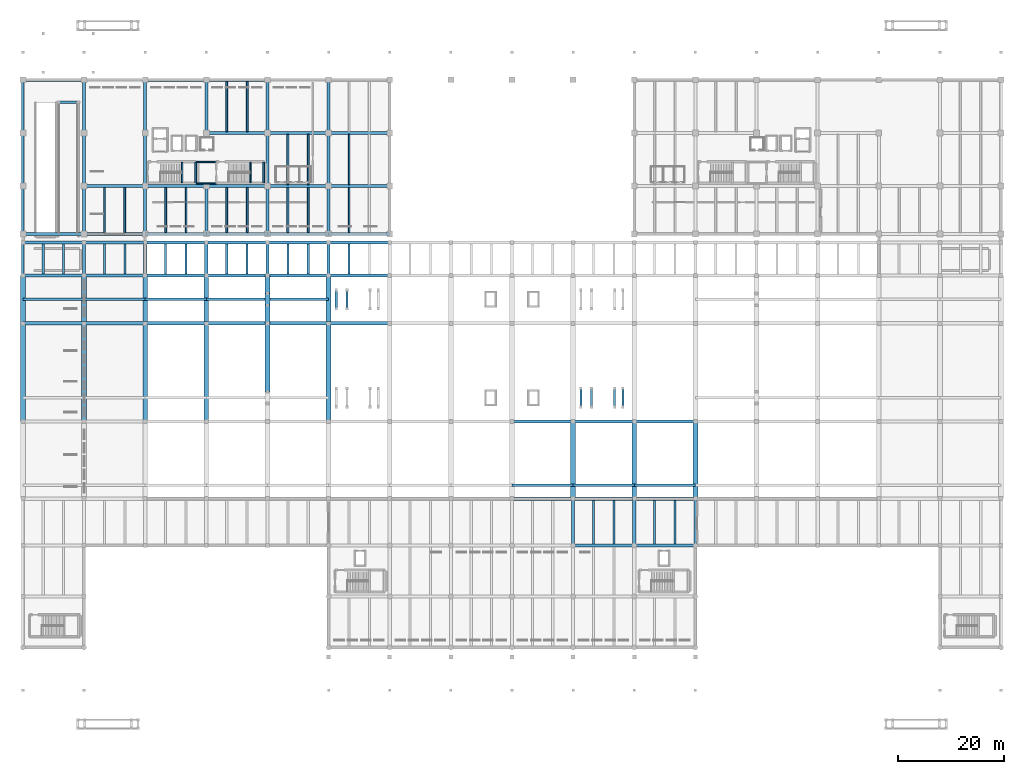
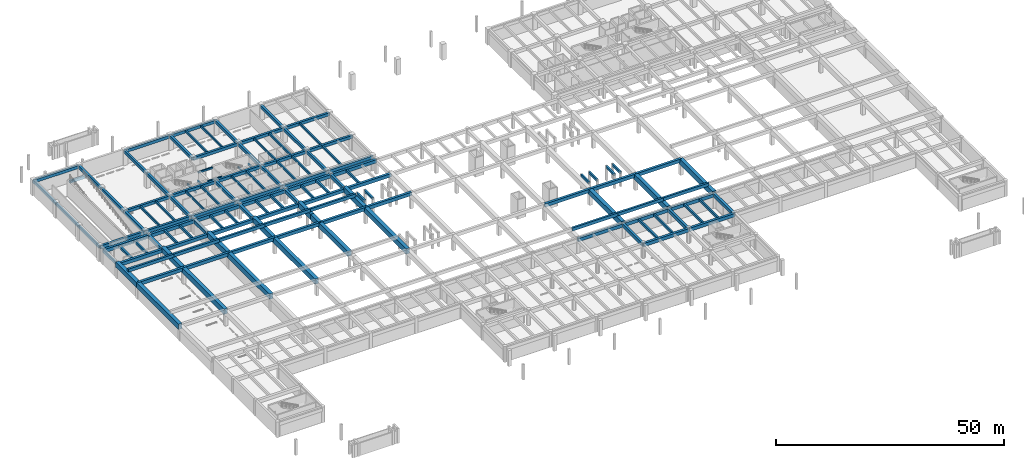
# One storey, part 5 of 20: 136 beams.
"""IFC4 building model written with IfcOpenShell, lengths in metres."""

from ifc_helpers import new_model, si_unit, direction, frame, origin, origin_2d, place, context, subcontext, project, spatial, rectangle, extrude, material, material_profile, profile_set, type_object, element, save


model = new_model("IFC4")

# Units and contexts
model_context = context("Model", 3, precision=1e-05, world=origin(), true_north=direction((0.0, 1.0)))
body_context = subcontext(model_context, "Body", "Model", "MODEL_VIEW")
ifc_project = project(units=[si_unit("LENGTHUNIT", "METRE"), si_unit("AREAUNIT", "SQUARE_METRE"), si_unit("VOLUMEUNIT", "CUBIC_METRE"), si_unit("PLANEANGLEUNIT", "RADIAN"), si_unit("MASSUNIT", "GRAM", prefix="KILO")], contexts=[model_context])

# Site, building, storey
site_placement = place(None, origin())
site = spatial("IfcSite", under=ifc_project, at=site_placement, CompositionType="ELEMENT")
building_placement = place(site_placement, origin())
building = spatial("IfcBuilding", under=site, at=building_placement, Name="Ologun Quay Terminus", CompositionType="ELEMENT")
storey_placement = place(building_placement, frame((0.0, 0.0, -4.199951171875)))
storey = spatial("IfcBuildingStorey", under=building, at=storey_placement, Name="B01", CompositionType="ELEMENT", Elevation=-4.199951171875)

# Beams
ifc_material_1 = material(Name="Concrete C40/50", Category="concrete")
ifc_material_profile_1 = material_profile(ifc_material_1, rectangle(XDim=0.300048828125, YDim=0.449951171875, at=origin_2d()), Name="RC 300x450")
ifc_profile_set_1 = profile_set([ifc_material_profile_1], Name="Concrete C40/50")
beam_type_1 = type_object("IfcBeamType", Name="Core Coupling Lintel Beam 300x450", PredefinedType="LINTEL", material=ifc_profile_set_1)
for number, where, z_axis, x_axis, name in (
    (1, (32.64990234375, 95.324951171875, 3.724853515625), (1.0, 0.0, 0.0), (0.0, 1.0, 0.0), "LN1 Beam 4/H B01"),
    (2, (32.64990234375, 99.375, 3.724853515625), (1.0, 0.0, 0.0), (0.0, 1.0, 0.0), "LN1 Beam 4/H B01"),
):
    element("IfcBeam", number, at=place(storey_placement, frame(where, z_axis=z_axis, x_axis=x_axis)), inside=storey, type_object=beam_type_1, Name=name, PredefinedType="LINTEL", context=body_context, shape_type="SweptSolid", body=[
        extrude(rectangle(XDim=0.300048828125, YDim=0.449951171875, at=origin_2d()), origin(), (0.0, 0.0, 1.0), 3.7001953125),
    ])
for number, where, z_axis, x_axis, name in (
    (3, (29.93994140625, 95.429931640625, 1.695068359375), (0.0, 1.0, 0.0), (-1.0, 0.0, 0.0), "LN1 Half-Landing Ledger Beam ST-W1-W B01"),
    (4, (32.510009765625, 95.429931640625, 1.695068359375), (0.0, 1.0, 0.0), (-1.0, 0.0, 0.0), "LN1 Half-Landing Ledger Beam ST-W1-E B01"),
    (5, (42.7900390625, 95.429931640625, 1.695068359375), (0.0, 1.0, 0.0), (-1.0, 0.0, 0.0), "LN1 Half-Landing Ledger Beam ST-W2-W B01"),
    (6, (45.31005859375, 95.429931640625, 1.695068359375), (0.0, 1.0, 0.0), (-1.0, 0.0, 0.0), "LN1 Half-Landing Ledger Beam ST-W2-E B01"),
):
    element("IfcBeam", number, at=place(storey_placement, frame(where, z_axis=z_axis, x_axis=x_axis)), inside=storey, type_object=beam_type_1, Name=name, PredefinedType="LINTEL", context=body_context, shape_type="SweptSolid", body=[
        extrude(rectangle(XDim=0.300048828125, YDim=0.449951171875, at=origin_2d()), origin(), (0.0, 0.0, 1.0), 3.840087890625),
    ])
ifc_material_2 = material(Name="Concrete C40/50", Category="concrete")
ifc_material_profile_2 = material_profile(ifc_material_2, rectangle(XDim=0.550048828125, YDim=0.800048828125, at=origin_2d()), Name="RC 550x800")
ifc_profile_set_2 = profile_set([ifc_material_profile_2], Name="Concrete C40/50")
beam_type_2 = type_object("IfcBeamType", Name="Courtyard Wing Primary Girder 550x800", PredefinedType="BEAM", material=ifc_profile_set_2)
for number, where, z_axis, x_axis, name in (
    (7, (0.0, 85.800048828125, 3.47998046875), (1.0, 0.0, 0.0), (0.0, 1.0, 0.0), "B4 Beam 1/G2 B01"),
    (8, (11.5, 85.800048828125, 3.47998046875), (1.0, 0.0, 0.0), (0.0, 1.0, 0.0), "B4 Beam 2/G2 B01"),
    (9, (23.0, 85.800048828125, 3.47998046875), (1.0, 0.0, 0.0), (0.0, 1.0, 0.0), "B4 Beam 3/G2 B01"),
    (10, (34.5, 85.800048828125, 3.47998046875), (1.0, 0.0, 0.0), (0.0, 1.0, 0.0), "B4 Beam 4/G2 B01"),
    (11, (46.0, 85.800048828125, 3.47998046875), (1.0, 0.0, 0.0), (0.0, 1.0, 0.0), "B4 Beam 5/G2 B01"),
    (12, (57.5, 85.800048828125, 3.47998046875), (1.0, 0.0, 0.0), (0.0, 1.0, 0.0), "B4 Beam 6/G2 B01"),
    (13, (11.5, 94.800048828125, 3.47998046875), (1.0, 0.0, 0.0), (0.0, 1.0, 0.0), "B4 Beam 2/H B01"),
    (14, (23.0, 94.800048828125, 3.47998046875), (1.0, 0.0, 0.0), (0.0, 1.0, 0.0), "B4 Beam 3/H B01"),
    (15, (34.5, 94.800048828125, 3.47998046875), (1.0, 0.0, 0.0), (0.0, 1.0, 0.0), "B4 Beam 4/H B01"),
    (16, (46.0, 94.800048828125, 3.47998046875), (1.0, 0.0, 0.0), (0.0, 1.0, 0.0), "B4 Beam 5/H B01"),
    (17, (57.5, 94.800048828125, 3.47998046875), (1.0, 0.0, 0.0), (0.0, 1.0, 0.0), "B4 Beam 6/H B01"),
    (18, (34.5, 104.800048828125, 3.47998046875), (1.0, 0.0, 0.0), (0.0, 1.0, 0.0), "B4 Beam 4/J B01"),
    (19, (46.0, 104.800048828125, 3.47998046875), (1.0, 0.0, 0.0), (0.0, 1.0, 0.0), "B4 Beam 5/J B01"),
    (20, (57.5, 104.800048828125, 3.47998046875), (1.0, 0.0, 0.0), (0.0, 1.0, 0.0), "B4 Beam 6/J B01"),
    (21, (0.0, 114.800048828125, 3.47998046875), (1.0, 0.0, 0.0), (0.0, 1.0, 0.0), "B4 Beam 1/K B01"),
    (22, (23.0, 114.800048828125, 3.47998046875), (1.0, 0.0, 0.0), (0.0, 1.0, 0.0), "B4 Beam 3/K B01"),
    (23, (34.5, 114.800048828125, 3.47998046875), (1.0, 0.0, 0.0), (0.0, 1.0, 0.0), "B4 Beam 4/K B01"),
):
    element("IfcBeam", number, at=place(storey_placement, frame(where, z_axis=z_axis, x_axis=x_axis)), inside=storey, type_object=beam_type_2, Name=name, PredefinedType="BEAM", context=body_context, shape_type="SweptSolid", body=[
        extrude(rectangle(XDim=0.550048828125, YDim=0.800048828125, at=origin_2d()), origin(), (0.0, 0.0, 1.0), 11.5),
    ])
beam_1_placement = place(storey_placement, frame((11.5, 85.800048828125, 3.47998046875), z_axis=(0.0, 1.0, 0.0), x_axis=(-1.0, 0.0, 0.0)))
element("IfcBeam", 24, at=beam_1_placement, inside=storey, type_object=beam_type_2, Name="B4 Beam 2/G2 B01", PredefinedType="BEAM", context=body_context, shape_type="SweptSolid", body=[
    extrude(rectangle(XDim=0.550048828125, YDim=0.800048828125, at=origin_2d()), origin(), (0.0, 0.0, 1.0), 9.0),
])
for number, where, z_axis, x_axis, name in (
    (25, (11.5, 94.800048828125, 3.47998046875), (0.0, 1.0, 0.0), (-1.0, 0.0, 0.0), "B4 Beam 2/H B01"),
    (26, (11.5, 104.800048828125, 3.47998046875), (0.0, 1.0, 0.0), (-1.0, 0.0, 0.0), "B4 Beam 2/J B01"),
):
    element("IfcBeam", number, at=place(storey_placement, frame(where, z_axis=z_axis, x_axis=x_axis)), inside=storey, type_object=beam_type_2, Name=name, PredefinedType="BEAM", context=body_context, shape_type="SweptSolid", body=[
        extrude(rectangle(XDim=0.550048828125, YDim=0.800048828125, at=origin_2d()), origin(), (0.0, 0.0, 1.0), 10.0),
    ])
beam_2_placement = place(storey_placement, frame((23.0, 85.800048828125, 3.47998046875), z_axis=(0.0, 1.0, 0.0), x_axis=(-1.0, 0.0, 0.0)))
element("IfcBeam", 27, at=beam_2_placement, inside=storey, type_object=beam_type_2, Name="B4 Beam 3/G2 B01", PredefinedType="BEAM", context=body_context, shape_type="SweptSolid", body=[
    extrude(rectangle(XDim=0.550048828125, YDim=0.800048828125, at=origin_2d()), origin(), (0.0, 0.0, 1.0), 9.0),
])
for number, where, z_axis, x_axis, name in (
    (28, (23.0, 94.800048828125, 3.47998046875), (0.0, 1.0, 0.0), (-1.0, 0.0, 0.0), "B4 Beam 3/H B01"),
    (29, (23.0, 104.800048828125, 3.47998046875), (0.0, 1.0, 0.0), (-1.0, 0.0, 0.0), "B4 Beam 3/J B01"),
):
    element("IfcBeam", number, at=place(storey_placement, frame(where, z_axis=z_axis, x_axis=x_axis)), inside=storey, type_object=beam_type_2, Name=name, PredefinedType="BEAM", context=body_context, shape_type="SweptSolid", body=[
        extrude(rectangle(XDim=0.550048828125, YDim=0.800048828125, at=origin_2d()), origin(), (0.0, 0.0, 1.0), 10.0),
    ])
beam_3_placement = place(storey_placement, frame((34.5, 85.800048828125, 3.47998046875), z_axis=(0.0, 1.0, 0.0), x_axis=(-1.0, 0.0, 0.0)))
element("IfcBeam", 30, at=beam_3_placement, inside=storey, type_object=beam_type_2, Name="B4 Beam 4/G2 B01", PredefinedType="BEAM", context=body_context, shape_type="SweptSolid", body=[
    extrude(rectangle(XDim=0.550048828125, YDim=0.800048828125, at=origin_2d()), origin(), (0.0, 0.0, 1.0), 9.0),
])
beam_4_placement = place(storey_placement, frame((34.5, 104.800048828125, 3.47998046875), z_axis=(0.0, 1.0, 0.0), x_axis=(-1.0, 0.0, 0.0)))
element("IfcBeam", 31, at=beam_4_placement, inside=storey, type_object=beam_type_2, Name="B4 Beam 4/J B01", PredefinedType="BEAM", context=body_context, shape_type="SweptSolid", body=[
    extrude(rectangle(XDim=0.550048828125, YDim=0.800048828125, at=origin_2d()), origin(), (0.0, 0.0, 1.0), 10.0),
])
beam_5_placement = place(storey_placement, frame((46.0, 85.800048828125, 3.47998046875), z_axis=(0.0, 1.0, 0.0), x_axis=(-1.0, 0.0, 0.0)))
element("IfcBeam", 32, at=beam_5_placement, inside=storey, type_object=beam_type_2, Name="B4 Beam 5/G2 B01", PredefinedType="BEAM", context=body_context, shape_type="SweptSolid", body=[
    extrude(rectangle(XDim=0.550048828125, YDim=0.800048828125, at=origin_2d()), origin(), (0.0, 0.0, 1.0), 9.0),
])
for number, where, z_axis, x_axis, name in (
    (33, (46.0, 94.800048828125, 3.47998046875), (0.0, 1.0, 0.0), (-1.0, 0.0, 0.0), "B4 Beam 5/H B01"),
    (34, (46.0, 104.800048828125, 3.47998046875), (0.0, 1.0, 0.0), (-1.0, 0.0, 0.0), "B4 Beam 5/J B01"),
):
    element("IfcBeam", number, at=place(storey_placement, frame(where, z_axis=z_axis, x_axis=x_axis)), inside=storey, type_object=beam_type_2, Name=name, PredefinedType="BEAM", context=body_context, shape_type="SweptSolid", body=[
        extrude(rectangle(XDim=0.550048828125, YDim=0.800048828125, at=origin_2d()), origin(), (0.0, 0.0, 1.0), 10.0),
    ])
beam_6_placement = place(storey_placement, frame((57.5, 85.800048828125, 3.47998046875), z_axis=(0.0, 1.0, 0.0), x_axis=(-1.0, 0.0, 0.0)))
element("IfcBeam", 35, at=beam_6_placement, inside=storey, type_object=beam_type_2, Name="B4 Beam 6/G2 B01", PredefinedType="BEAM", context=body_context, shape_type="SweptSolid", body=[
    extrude(rectangle(XDim=0.550048828125, YDim=0.800048828125, at=origin_2d()), origin(), (0.0, 0.0, 1.0), 9.0),
])
for number, where, z_axis, x_axis, name in (
    (36, (57.5, 94.800048828125, 3.47998046875), (0.0, 1.0, 0.0), (-1.0, 0.0, 0.0), "B4 Beam 6/H B01"),
    (37, (57.5, 104.800048828125, 3.47998046875), (0.0, 1.0, 0.0), (-1.0, 0.0, 0.0), "B4 Beam 6/J B01"),
):
    element("IfcBeam", number, at=place(storey_placement, frame(where, z_axis=z_axis, x_axis=x_axis)), inside=storey, type_object=beam_type_2, Name=name, PredefinedType="BEAM", context=body_context, shape_type="SweptSolid", body=[
        extrude(rectangle(XDim=0.550048828125, YDim=0.800048828125, at=origin_2d()), origin(), (0.0, 0.0, 1.0), 10.0),
    ])
ifc_material_3 = material(Name="Concrete C40/50", Category="concrete")
ifc_material_profile_3 = material_profile(ifc_material_3, rectangle(XDim=0.35009765625, YDim=0.550048828125, at=origin_2d()), Name="RC 350x550")
ifc_profile_set_3 = profile_set([ifc_material_profile_3], Name="Concrete C40/50")
beam_type_3 = type_object("IfcBeamType", Name="Courtyard Wing Secondary Joist 350x550", PredefinedType="JOIST", material=ifc_profile_set_3)
for number, where, z_axis, x_axis, name in (
    (38, (15.333251953125, 86.074951171875, 3.60498046875), (0.0, 1.0, 0.0), (-1.0, 0.0, 0.0), "J2 Beam 2/G2 B01"),
    (39, (19.166748046875, 86.074951171875, 3.60498046875), (0.0, 1.0, 0.0), (-1.0, 0.0, 0.0), "J2 Beam 2/G2 B01"),
    (40, (26.833251953125, 86.074951171875, 3.60498046875), (0.0, 1.0, 0.0), (-1.0, 0.0, 0.0), "J2 Beam 3/G2 B01"),
    (41, (30.666748046875, 86.074951171875, 3.60498046875), (0.0, 1.0, 0.0), (-1.0, 0.0, 0.0), "J2 Beam 3/G2 B01"),
    (42, (38.333251953125, 86.074951171875, 3.60498046875), (0.0, 1.0, 0.0), (-1.0, 0.0, 0.0), "J2 Beam 4/G2 B01"),
    (43, (42.166748046875, 86.074951171875, 3.60498046875), (0.0, 1.0, 0.0), (-1.0, 0.0, 0.0), "J2 Beam 4/G2 B01"),
):
    element("IfcBeam", number, at=place(storey_placement, frame(where, z_axis=z_axis, x_axis=x_axis)), inside=storey, type_object=beam_type_3, Name=name, PredefinedType="JOIST", context=body_context, shape_type="SweptSolid", body=[
        extrude(rectangle(XDim=0.35009765625, YDim=0.550048828125, at=origin_2d()), origin(), (0.0, 0.0, 1.0), 8.449951171875),
    ])
for number, where, z_axis, x_axis, name in (
    (44, (38.333251953125, 105.074951171875, 3.60498046875), (0.0, 1.0, 0.0), (-1.0, 0.0, 0.0), "J2 Beam 4/J B01"),
    (45, (42.166748046875, 105.074951171875, 3.60498046875), (0.0, 1.0, 0.0), (-1.0, 0.0, 0.0), "J2 Beam 4/J B01"),
):
    element("IfcBeam", number, at=place(storey_placement, frame(where, z_axis=z_axis, x_axis=x_axis)), inside=storey, type_object=beam_type_3, Name=name, PredefinedType="JOIST", context=body_context, shape_type="SweptSolid", body=[
        extrude(rectangle(XDim=0.35009765625, YDim=0.550048828125, at=origin_2d()), origin(), (0.0, 0.0, 1.0), 9.449951171875),
    ])
for number, where, z_axis, x_axis, name in (
    (46, (49.833251953125, 86.074951171875, 3.60498046875), (0.0, 1.0, 0.0), (-1.0, 0.0, 0.0), "J2 Beam 5/G2 B01"),
    (47, (53.666748046875, 86.074951171875, 3.60498046875), (0.0, 1.0, 0.0), (-1.0, 0.0, 0.0), "J2 Beam 5/G2 B01"),
):
    element("IfcBeam", number, at=place(storey_placement, frame(where, z_axis=z_axis, x_axis=x_axis)), inside=storey, type_object=beam_type_3, Name=name, PredefinedType="JOIST", context=body_context, shape_type="SweptSolid", body=[
        extrude(rectangle(XDim=0.35009765625, YDim=0.550048828125, at=origin_2d()), origin(), (0.0, 0.0, 1.0), 8.449951171875),
    ])
for number, where, z_axis, x_axis, name in (
    (48, (49.833251953125, 95.074951171875, 3.60498046875), (0.0, 1.0, 0.0), (-1.0, 0.0, 0.0), "J2 Beam 5/H B01"),
    (49, (53.666748046875, 95.074951171875, 3.60498046875), (0.0, 1.0, 0.0), (-1.0, 0.0, 0.0), "J2 Beam 5/H B01"),
):
    element("IfcBeam", number, at=place(storey_placement, frame(where, z_axis=z_axis, x_axis=x_axis)), inside=storey, type_object=beam_type_3, Name=name, PredefinedType="JOIST", context=body_context, shape_type="SweptSolid", body=[
        extrude(rectangle(XDim=0.35009765625, YDim=0.550048828125, at=origin_2d()), origin(), (0.0, 0.0, 1.0), 9.449951171875),
    ])
beam_7_placement = place(storey_placement, frame((61.333251953125, 86.074951171875, 3.60498046875), z_axis=(0.0, 1.0, 0.0), x_axis=(-1.0, 0.0, 0.0)))
element("IfcBeam", 50, at=beam_7_placement, inside=storey, type_object=beam_type_3, Name="J2 Beam 6/G2 B01", PredefinedType="JOIST", context=body_context, shape_type="SweptSolid", body=[
    extrude(rectangle(XDim=0.35009765625, YDim=0.550048828125, at=origin_2d()), origin(), (0.0, 0.0, 1.0), 8.449951171875),
])
beam_8_placement = place(storey_placement, frame((61.333251953125, 95.074951171875, 3.60498046875), z_axis=(0.0, 1.0, 0.0), x_axis=(-1.0, 0.0, 0.0)))
element("IfcBeam", 51, at=beam_8_placement, inside=storey, type_object=beam_type_3, Name="J2 Beam 6/H B01", PredefinedType="JOIST", context=body_context, shape_type="SweptSolid", body=[
    extrude(rectangle(XDim=0.35009765625, YDim=0.550048828125, at=origin_2d()), origin(), (0.0, 0.0, 1.0), 9.449951171875),
])
ifc_material_4 = material(Name="Concrete C45/55", Category="concrete")
ifc_material_profile_4 = material_profile(ifc_material_4, rectangle(XDim=0.89990234375, YDim=1.39990234375, at=origin_2d()), Name="RC 900x1400")
ifc_profile_set_4 = profile_set([ifc_material_profile_4], Name="Concrete C45/55")
beam_type_4 = type_object("IfcBeamType", Name="Heavy Track Deck Girder 900x1400", PredefinedType="BEAM", material=ifc_profile_set_4)
beam_9_placement = place(storey_placement, frame((0.0, 50.5, 3.64990234375), z_axis=(0.0, 1.0, 0.0), x_axis=(-1.0, 0.0, 0.0)))
element("IfcBeam", 52, at=beam_9_placement, inside=storey, type_object=beam_type_4, Name="B1 Beam 1/E B01", PredefinedType="BEAM", context=body_context, shape_type="SweptSolid", body=[
    extrude(rectangle(XDim=0.89990234375, YDim=1.39990234375, at=origin_2d()), origin(), (0.0, 0.0, 1.0), 18.5),
])
beam_10_placement = place(storey_placement, frame((0.0, 69.0, 3.64990234375), z_axis=(0.0, 1.0, 0.0), x_axis=(-1.0, 0.0, 0.0)))
element("IfcBeam", 53, at=beam_10_placement, inside=storey, type_object=beam_type_4, Name="B1 Beam 1/E B01", PredefinedType="BEAM", context=body_context, shape_type="SweptSolid", body=[
    extrude(rectangle(XDim=0.89990234375, YDim=1.39990234375, at=origin_2d()), origin(), (0.0, 0.0, 1.0), 9.0),
])
beam_11_placement = place(storey_placement, frame((11.5, 50.5, 3.64990234375), z_axis=(0.0, 1.0, 0.0), x_axis=(-1.0, 0.0, 0.0)))
element("IfcBeam", 54, at=beam_11_placement, inside=storey, type_object=beam_type_4, Name="B1 Beam 2/E B01", PredefinedType="BEAM", context=body_context, shape_type="SweptSolid", body=[
    extrude(rectangle(XDim=0.89990234375, YDim=1.39990234375, at=origin_2d()), origin(), (0.0, 0.0, 1.0), 18.5),
])
beam_12_placement = place(storey_placement, frame((11.5, 69.0, 3.64990234375), z_axis=(0.0, 1.0, 0.0), x_axis=(-1.0, 0.0, 0.0)))
element("IfcBeam", 55, at=beam_12_placement, inside=storey, type_object=beam_type_4, Name="B1 Beam 2/E B01", PredefinedType="BEAM", context=body_context, shape_type="SweptSolid", body=[
    extrude(rectangle(XDim=0.89990234375, YDim=1.39990234375, at=origin_2d()), origin(), (0.0, 0.0, 1.0), 9.0),
])
beam_13_placement = place(storey_placement, frame((23.0, 50.5, 3.64990234375), z_axis=(0.0, 1.0, 0.0), x_axis=(-1.0, 0.0, 0.0)))
element("IfcBeam", 56, at=beam_13_placement, inside=storey, type_object=beam_type_4, Name="B1 Beam 3/E B01", PredefinedType="BEAM", context=body_context, shape_type="SweptSolid", body=[
    extrude(rectangle(XDim=0.89990234375, YDim=1.39990234375, at=origin_2d()), origin(), (0.0, 0.0, 1.0), 18.5),
])
beam_14_placement = place(storey_placement, frame((23.0, 69.0, 3.64990234375), z_axis=(0.0, 1.0, 0.0), x_axis=(-1.0, 0.0, 0.0)))
element("IfcBeam", 57, at=beam_14_placement, inside=storey, type_object=beam_type_4, Name="B1 Beam 3/E B01", PredefinedType="BEAM", context=body_context, shape_type="SweptSolid", body=[
    extrude(rectangle(XDim=0.89990234375, YDim=1.39990234375, at=origin_2d()), origin(), (0.0, 0.0, 1.0), 9.0),
])
beam_15_placement = place(storey_placement, frame((34.5, 50.5, 3.64990234375), z_axis=(0.0, 1.0, 0.0), x_axis=(-1.0, 0.0, 0.0)))
element("IfcBeam", 58, at=beam_15_placement, inside=storey, type_object=beam_type_4, Name="B1 Beam 4/E B01", PredefinedType="BEAM", context=body_context, shape_type="SweptSolid", body=[
    extrude(rectangle(XDim=0.89990234375, YDim=1.39990234375, at=origin_2d()), origin(), (0.0, 0.0, 1.0), 18.5),
])
beam_16_placement = place(storey_placement, frame((34.5, 69.0, 3.64990234375), z_axis=(0.0, 1.0, 0.0), x_axis=(-1.0, 0.0, 0.0)))
element("IfcBeam", 59, at=beam_16_placement, inside=storey, type_object=beam_type_4, Name="B1 Beam 4/E B01", PredefinedType="BEAM", context=body_context, shape_type="SweptSolid", body=[
    extrude(rectangle(XDim=0.89990234375, YDim=1.39990234375, at=origin_2d()), origin(), (0.0, 0.0, 1.0), 9.0),
])
beam_17_placement = place(storey_placement, frame((46.0, 56.10009765625, 3.64990234375), z_axis=(0.0, 1.0, 0.0), x_axis=(-1.0, 0.0, 0.0)))
element("IfcBeam", 60, at=beam_17_placement, inside=storey, type_object=beam_type_4, Name="B1 Beam 5/E B01", PredefinedType="BEAM", context=body_context, shape_type="SweptSolid", body=[
    extrude(rectangle(XDim=0.89990234375, YDim=1.39990234375, at=origin_2d()), origin(), (0.0, 0.0, 1.0), 12.89990234375),
])
beam_18_placement = place(storey_placement, frame((46.0, 69.0, 3.64990234375), z_axis=(0.0, 1.0, 0.0), x_axis=(-1.0, 0.0, 0.0)))
element("IfcBeam", 61, at=beam_18_placement, inside=storey, type_object=beam_type_4, Name="B1 Beam 5/E B01", PredefinedType="BEAM", context=body_context, shape_type="SweptSolid", body=[
    extrude(rectangle(XDim=0.89990234375, YDim=1.39990234375, at=origin_2d()), origin(), (0.0, 0.0, 1.0), 3.39990234375),
])
beam_19_placement = place(storey_placement, frame((46.0, 72.39990234375, 3.64990234375), z_axis=(0.0, 1.0, 0.0), x_axis=(-1.0, 0.0, 0.0)))
element("IfcBeam", 62, at=beam_19_placement, inside=storey, type_object=beam_type_4, Name="B1 Beam 5/E B01", PredefinedType="BEAM", context=body_context, shape_type="SweptSolid", body=[
    extrude(rectangle(XDim=0.89990234375, YDim=1.39990234375, at=origin_2d()), origin(), (0.0, 0.0, 1.0), 2.2001953125),
])
beam_20_placement = place(storey_placement, frame((46.0, 74.60009765625, 3.64990234375), z_axis=(0.0, 1.0, 0.0), x_axis=(-1.0, 0.0, 0.0)))
element("IfcBeam", 63, at=beam_20_placement, inside=storey, type_object=beam_type_4, Name="B1 Beam 5/E B01", PredefinedType="BEAM", context=body_context, shape_type="SweptSolid", body=[
    extrude(rectangle(XDim=0.89990234375, YDim=1.39990234375, at=origin_2d()), origin(), (0.0, 0.0, 1.0), 3.39990234375),
])
beam_21_placement = place(storey_placement, frame((57.5, 50.5, 3.64990234375), z_axis=(0.0, 1.0, 0.0), x_axis=(-1.0, 0.0, 0.0)))
element("IfcBeam", 64, at=beam_21_placement, inside=storey, type_object=beam_type_4, Name="B1 Beam 6/E B01", PredefinedType="BEAM", context=body_context, shape_type="SweptSolid", body=[
    extrude(rectangle(XDim=0.89990234375, YDim=1.39990234375, at=origin_2d()), origin(), (0.0, 0.0, 1.0), 18.5),
])
beam_22_placement = place(storey_placement, frame((57.5, 69.0, 3.64990234375), z_axis=(0.0, 1.0, 0.0), x_axis=(-1.0, 0.0, 0.0)))
element("IfcBeam", 65, at=beam_22_placement, inside=storey, type_object=beam_type_4, Name="B1 Beam 6/E B01", PredefinedType="BEAM", context=body_context, shape_type="SweptSolid", body=[
    extrude(rectangle(XDim=0.89990234375, YDim=1.39990234375, at=origin_2d()), origin(), (0.0, 0.0, 1.0), 9.0),
])
for number, where, z_axis, x_axis, name in (
    (66, (103.5, 36.0, 3.64990234375), (0.0, 1.0, 0.0), (-1.0, 0.0, 0.0), "B1 Beam 10/E B01"),
    (67, (115.0, 36.0, 3.64990234375), (0.0, 1.0, 0.0), (-1.0, 0.0, 0.0), "B1 Beam 11/E B01"),
    (68, (126.5, 36.0, 3.64990234375), (0.0, 1.0, 0.0), (-1.0, 0.0, 0.0), "B1 Beam 12/E B01"),
):
    element("IfcBeam", number, at=place(storey_placement, frame(where, z_axis=z_axis, x_axis=x_axis)), inside=storey, type_object=beam_type_4, Name=name, PredefinedType="BEAM", context=body_context, shape_type="SweptSolid", body=[
        extrude(rectangle(XDim=0.89990234375, YDim=1.39990234375, at=origin_2d()), origin(), (0.0, 0.0, 1.0), 14.5),
    ])
ifc_material_5 = material(Name="Concrete C40/50", Category="concrete")
ifc_material_profile_5 = material_profile(ifc_material_5, rectangle(XDim=0.449951171875, YDim=0.699951171875, at=origin_2d()), Name="RC 450x700")
ifc_profile_set_5 = profile_set([ifc_material_profile_5], Name="Concrete C40/50")
beam_type_5 = type_object("IfcBeamType", Name="Perimeter Spandrel Beam 450x700", PredefinedType="SPANDREL", material=ifc_profile_set_5)
beam_23_placement = place(storey_placement, frame((6.75, 110.60009765625, 3.530029296875), z_axis=(1.0, 0.0, 0.0), x_axis=(0.0, 1.0, 0.0)))
element("IfcBeam", 69, at=beam_23_placement, inside=storey, type_object=beam_type_5, Name="SP1 Beam 1/J B01", PredefinedType="SPANDREL", context=body_context, shape_type="SweptSolid", body=[
    extrude(rectangle(XDim=0.449951171875, YDim=0.699951171875, at=origin_2d()), origin(), (0.0, 0.0, 1.0), 3.699951171875),
])
beam_24_placement = place(storey_placement, frame((0.0, 78.0, 3.530029296875), z_axis=(0.0, 1.0, 0.0), x_axis=(-1.0, 0.0, 0.0)))
element("IfcBeam", 70, at=beam_24_placement, inside=storey, type_object=beam_type_5, Name="SP1 Beam 1/F B01", PredefinedType="SPANDREL", context=body_context, shape_type="SweptSolid", body=[
    extrude(rectangle(XDim=0.449951171875, YDim=0.699951171875, at=origin_2d()), origin(), (0.0, 0.0, 1.0), 6.199951171875),
])
beam_25_placement = place(storey_placement, frame((0.0, 85.800048828125, 3.530029296875), z_axis=(0.0, 1.0, 0.0), x_axis=(-1.0, 0.0, 0.0)))
element("IfcBeam", 71, at=beam_25_placement, inside=storey, type_object=beam_type_5, Name="SP1 Beam 1/G2 B01", PredefinedType="SPANDREL", context=body_context, shape_type="SweptSolid", body=[
    extrude(rectangle(XDim=0.449951171875, YDim=0.699951171875, at=origin_2d()), origin(), (0.0, 0.0, 1.0), 9.0),
])
for number, where, z_axis, x_axis, name in (
    (72, (0.0, 94.800048828125, 3.530029296875), (0.0, 1.0, 0.0), (-1.0, 0.0, 0.0), "SP1 Beam 1/H B01"),
    (73, (0.0, 104.800048828125, 3.530029296875), (0.0, 1.0, 0.0), (-1.0, 0.0, 0.0), "SP1 Beam 1/J B01"),
):
    element("IfcBeam", number, at=place(storey_placement, frame(where, z_axis=z_axis, x_axis=x_axis)), inside=storey, type_object=beam_type_5, Name=name, PredefinedType="SPANDREL", context=body_context, shape_type="SweptSolid", body=[
        extrude(rectangle(XDim=0.449951171875, YDim=0.699951171875, at=origin_2d()), origin(), (0.0, 0.0, 1.0), 10.0),
    ])
ifc_material_6 = material(Name="Concrete C40/50", Category="concrete")
ifc_material_profile_6 = material_profile(ifc_material_6, rectangle(XDim=0.5, YDim=0.85009765625, at=origin_2d()), Name="RC 500x850")
ifc_profile_set_6 = profile_set([ifc_material_profile_6], Name="Concrete C40/50")
beam_type_6 = type_object("IfcBeamType", Name="Platform Ribbed T-Beam 500x850", PredefinedType="T_BEAM", material=ifc_profile_set_6)
for number, where, z_axis, x_axis, name in (
    (74, (0.0, 73.5, 4.724853515625), (1.0, 0.0, 0.0), (0.0, 1.0, 0.0), "TB1 Beam 1/E B01"),
    (75, (11.5, 73.5, 4.724853515625), (1.0, 0.0, 0.0), (0.0, 1.0, 0.0), "TB1 Beam 2/E B01"),
    (76, (23.0, 73.5, 4.724853515625), (1.0, 0.0, 0.0), (0.0, 1.0, 0.0), "TB1 Beam 3/E B01"),
    (77, (34.5, 73.5, 4.724853515625), (1.0, 0.0, 0.0), (0.0, 1.0, 0.0), "TB1 Beam 4/E B01"),
    (78, (46.0, 73.5, 4.724853515625), (1.0, 0.0, 0.0), (0.0, 1.0, 0.0), "TB1 Beam 5/E B01"),
    (79, (92.0, 38.5, 4.724853515625), (1.0, 0.0, 0.0), (0.0, 1.0, 0.0), "TB1 Beam 9/E B01"),
    (80, (103.5, 38.5, 4.724853515625), (1.0, 0.0, 0.0), (0.0, 1.0, 0.0), "TB1 Beam 10/E B01"),
    (81, (115.0, 38.5, 4.724853515625), (1.0, 0.0, 0.0), (0.0, 1.0, 0.0), "TB1 Beam 11/E B01"),
):
    element("IfcBeam", number, at=place(storey_placement, frame(where, z_axis=z_axis, x_axis=x_axis)), inside=storey, type_object=beam_type_6, Name=name, PredefinedType="T_BEAM", context=body_context, shape_type="SweptSolid", body=[
        extrude(rectangle(XDim=0.5, YDim=0.85009765625, at=origin_2d()), origin(), (0.0, 0.0, 1.0), 11.5),
    ])
ifc_material_7 = material(Name="Concrete C40/50", Category="concrete")
ifc_material_profile_7 = material_profile(ifc_material_7, rectangle(XDim=0.60009765625, YDim=0.89990234375, at=origin_2d()), Name="RC 600x900")
ifc_profile_set_7 = profile_set([ifc_material_profile_7], Name="Concrete C40/50")
beam_type_7 = type_object("IfcBeamType", Name="Station Frame Girder 600x900", PredefinedType="BEAM", material=ifc_profile_set_7)
for number, where, z_axis, x_axis, name in (
    (82, (103.5, 27.199951171875, 3.429931640625), (1.0, 0.0, 0.0), (0.0, 1.0, 0.0), "B3 Beam 10/D B01"),
    (83, (115.0, 27.199951171875, 3.429931640625), (1.0, 0.0, 0.0), (0.0, 1.0, 0.0), "B3 Beam 11/D B01"),
    (84, (92.0, 36.0, 3.429931640625), (1.0, 0.0, 0.0), (0.0, 1.0, 0.0), "B3 Beam 9/E B01"),
    (85, (103.5, 36.0, 3.429931640625), (1.0, 0.0, 0.0), (0.0, 1.0, 0.0), "B3 Beam 10/E B01"),
    (86, (115.0, 36.0, 3.429931640625), (1.0, 0.0, 0.0), (0.0, 1.0, 0.0), "B3 Beam 11/E B01"),
    (87, (0.0, 78.0, 3.429931640625), (1.0, 0.0, 0.0), (0.0, 1.0, 0.0), "B3 Beam 1/F B01"),
    (88, (11.5, 78.0, 3.429931640625), (1.0, 0.0, 0.0), (0.0, 1.0, 0.0), "B3 Beam 2/F B01"),
    (89, (23.0, 78.0, 3.429931640625), (1.0, 0.0, 0.0), (0.0, 1.0, 0.0), "B3 Beam 3/F B01"),
    (90, (34.5, 78.0, 3.429931640625), (1.0, 0.0, 0.0), (0.0, 1.0, 0.0), "B3 Beam 4/F B01"),
    (91, (46.0, 78.0, 3.429931640625), (1.0, 0.0, 0.0), (0.0, 1.0, 0.0), "B3 Beam 5/F B01"),
    (92, (57.5, 78.0, 3.429931640625), (1.0, 0.0, 0.0), (0.0, 1.0, 0.0), "B3 Beam 6/F B01"),
    (93, (0.0, 84.199951171875, 3.429931640625), (1.0, 0.0, 0.0), (0.0, 1.0, 0.0), "B3 Beam 1/G1 B01"),
    (94, (11.5, 84.199951171875, 3.429931640625), (1.0, 0.0, 0.0), (0.0, 1.0, 0.0), "B3 Beam 2/G1 B01"),
    (95, (23.0, 84.199951171875, 3.429931640625), (1.0, 0.0, 0.0), (0.0, 1.0, 0.0), "B3 Beam 3/G1 B01"),
    (96, (34.5, 84.199951171875, 3.429931640625), (1.0, 0.0, 0.0), (0.0, 1.0, 0.0), "B3 Beam 4/G1 B01"),
    (97, (46.0, 84.199951171875, 3.429931640625), (1.0, 0.0, 0.0), (0.0, 1.0, 0.0), "B3 Beam 5/G1 B01"),
    (98, (57.5, 84.199951171875, 3.429931640625), (1.0, 0.0, 0.0), (0.0, 1.0, 0.0), "B3 Beam 6/G1 B01"),
    (99, (0.0, 69.0, 3.89990234375), (1.0, 0.0, 0.0), (0.0, 1.0, 0.0), "B3 Beam 1/E B01"),
    (100, (11.5, 69.0, 3.89990234375), (1.0, 0.0, 0.0), (0.0, 1.0, 0.0), "B3 Beam 2/E B01"),
    (101, (23.0, 69.0, 3.89990234375), (1.0, 0.0, 0.0), (0.0, 1.0, 0.0), "B3 Beam 3/E B01"),
    (102, (34.5, 69.0, 3.89990234375), (1.0, 0.0, 0.0), (0.0, 1.0, 0.0), "B3 Beam 4/E B01"),
    (103, (46.0, 69.0, 3.89990234375), (1.0, 0.0, 0.0), (0.0, 1.0, 0.0), "B3 Beam 5/E B01"),
    (104, (57.5, 69.0, 3.89990234375), (1.0, 0.0, 0.0), (0.0, 1.0, 0.0), "B3 Beam 6/E B01"),
    (105, (92.0, 50.5, 3.89990234375), (1.0, 0.0, 0.0), (0.0, 1.0, 0.0), "B3 Beam 9/E B01"),
    (106, (103.5, 50.5, 3.89990234375), (1.0, 0.0, 0.0), (0.0, 1.0, 0.0), "B3 Beam 10/E B01"),
    (107, (115.0, 50.5, 3.89990234375), (1.0, 0.0, 0.0), (0.0, 1.0, 0.0), "B3 Beam 11/E B01"),
):
    element("IfcBeam", number, at=place(storey_placement, frame(where, z_axis=z_axis, x_axis=x_axis)), inside=storey, type_object=beam_type_7, Name=name, PredefinedType="BEAM", context=body_context, shape_type="SweptSolid", body=[
        extrude(rectangle(XDim=0.60009765625, YDim=0.89990234375, at=origin_2d()), origin(), (0.0, 0.0, 1.0), 11.5),
    ])
for number, where, z_axis, x_axis, name in (
    (108, (11.5, 78.0, 3.429931640625), (0.0, 1.0, 0.0), (-1.0, 0.0, 0.0), "B3 Beam 2/F B01"),
    (109, (23.0, 78.0, 3.429931640625), (0.0, 1.0, 0.0), (-1.0, 0.0, 0.0), "B3 Beam 3/F B01"),
    (110, (34.5, 78.0, 3.429931640625), (0.0, 1.0, 0.0), (-1.0, 0.0, 0.0), "B3 Beam 4/F B01"),
    (111, (46.0, 78.0, 3.429931640625), (0.0, 1.0, 0.0), (-1.0, 0.0, 0.0), "B3 Beam 5/F B01"),
    (112, (57.5, 78.0, 3.429931640625), (0.0, 1.0, 0.0), (-1.0, 0.0, 0.0), "B3 Beam 6/F B01"),
):
    element("IfcBeam", number, at=place(storey_placement, frame(where, z_axis=z_axis, x_axis=x_axis)), inside=storey, type_object=beam_type_7, Name=name, PredefinedType="BEAM", context=body_context, shape_type="SweptSolid", body=[
        extrude(rectangle(XDim=0.60009765625, YDim=0.89990234375, at=origin_2d()), origin(), (0.0, 0.0, 1.0), 6.199951171875),
    ])
for number, where, z_axis, x_axis, name in (
    (113, (103.5, 27.199951171875, 3.429931640625), (0.0, 1.0, 0.0), (-1.0, 0.0, 0.0), "B3 Beam 10/D B01"),
    (114, (115.0, 27.199951171875, 3.429931640625), (0.0, 1.0, 0.0), (-1.0, 0.0, 0.0), "B3 Beam 11/D B01"),
    (115, (126.5, 27.199951171875, 3.429931640625), (0.0, 1.0, 0.0), (-1.0, 0.0, 0.0), "B3 Beam 12/D B01"),
):
    element("IfcBeam", number, at=place(storey_placement, frame(where, z_axis=z_axis, x_axis=x_axis)), inside=storey, type_object=beam_type_7, Name=name, PredefinedType="BEAM", context=body_context, shape_type="SweptSolid", body=[
        extrude(rectangle(XDim=0.60009765625, YDim=0.89990234375, at=origin_2d()), origin(), (0.0, 0.0, 1.0), 8.800048828125),
    ])
ifc_material_8 = material(Name="Concrete C40/50", Category="concrete")
ifc_material_profile_8 = material_profile(ifc_material_8, rectangle(XDim=0.39990234375, YDim=0.64990234375, at=origin_2d()), Name="RC 400x650")
ifc_profile_set_8 = profile_set([ifc_material_profile_8], Name="Concrete C40/50")
beam_type_8 = type_object("IfcBeamType", Name="Station Secondary Joist 400x650", PredefinedType="JOIST", material=ifc_profile_set_8)
for number, where, z_axis, x_axis, name in (
    (116, (104.949951171875, 53.25, 3.554931640625), (0.0, 1.0, 0.0), (-1.0, 0.0, 0.0), "J1 Beam 10/E B01"),
    (117, (106.949951171875, 53.25, 3.554931640625), (0.0, 1.0, 0.0), (-1.0, 0.0, 0.0), "J1 Beam 10/E B01"),
    (118, (111.300048828125, 53.25, 3.554931640625), (0.0, 1.0, 0.0), (-1.0, 0.0, 0.0), "J1 Beam 10/E B01"),
    (119, (112.85009765625, 53.25, 3.554931640625), (0.0, 1.0, 0.0), (-1.0, 0.0, 0.0), "J1 Beam 10/E B01"),
    (120, (58.949951171875, 71.75, 3.554931640625), (0.0, 1.0, 0.0), (-1.0, 0.0, 0.0), "J1 Beam 6/F B01"),
    (121, (60.949951171875, 71.75, 3.554931640625), (0.0, 1.0, 0.0), (-1.0, 0.0, 0.0), "J1 Beam 6/F B01"),
):
    element("IfcBeam", number, at=place(storey_placement, frame(where, z_axis=z_axis, x_axis=x_axis)), inside=storey, type_object=beam_type_8, Name=name, PredefinedType="JOIST", context=body_context, shape_type="SweptSolid", body=[
        extrude(rectangle(XDim=0.39990234375, YDim=0.64990234375, at=origin_2d()), origin(), (0.0, 0.0, 1.0), 3.5),
    ])
for number, where, z_axis, x_axis, name in (
    (122, (3.833251953125, 78.300048828125, 3.554931640625), (0.0, 1.0, 0.0), (-1.0, 0.0, 0.0), "J1 Beam 1/F B01"),
    (123, (7.666748046875, 78.300048828125, 3.554931640625), (0.0, 1.0, 0.0), (-1.0, 0.0, 0.0), "J1 Beam 1/F B01"),
    (124, (15.333251953125, 78.300048828125, 3.554931640625), (0.0, 1.0, 0.0), (-1.0, 0.0, 0.0), "J1 Beam 2/F B01"),
    (125, (19.166748046875, 78.300048828125, 3.554931640625), (0.0, 1.0, 0.0), (-1.0, 0.0, 0.0), "J1 Beam 2/F B01"),
    (126, (26.833251953125, 78.300048828125, 3.554931640625), (0.0, 1.0, 0.0), (-1.0, 0.0, 0.0), "J1 Beam 3/F B01"),
    (127, (30.666748046875, 78.300048828125, 3.554931640625), (0.0, 1.0, 0.0), (-1.0, 0.0, 0.0), "J1 Beam 3/F B01"),
    (128, (38.333251953125, 78.300048828125, 3.554931640625), (0.0, 1.0, 0.0), (-1.0, 0.0, 0.0), "J1 Beam 4/F B01"),
    (129, (42.166748046875, 78.300048828125, 3.554931640625), (0.0, 1.0, 0.0), (-1.0, 0.0, 0.0), "J1 Beam 4/F B01"),
    (130, (49.833251953125, 78.300048828125, 3.554931640625), (0.0, 1.0, 0.0), (-1.0, 0.0, 0.0), "J1 Beam 5/F B01"),
    (131, (53.666748046875, 78.300048828125, 3.554931640625), (0.0, 1.0, 0.0), (-1.0, 0.0, 0.0), "J1 Beam 5/F B01"),
    (132, (61.333251953125, 78.300048828125, 3.554931640625), (0.0, 1.0, 0.0), (-1.0, 0.0, 0.0), "J1 Beam 6/F B01"),
):
    element("IfcBeam", number, at=place(storey_placement, frame(where, z_axis=z_axis, x_axis=x_axis)), inside=storey, type_object=beam_type_8, Name=name, PredefinedType="JOIST", context=body_context, shape_type="SweptSolid", body=[
        extrude(rectangle(XDim=0.39990234375, YDim=0.64990234375, at=origin_2d()), origin(), (0.0, 0.0, 1.0), 5.599853515625),
    ])
for number, where, z_axis, x_axis, name in (
    (133, (107.333251953125, 27.5, 3.554931640625), (0.0, 1.0, 0.0), (-1.0, 0.0, 0.0), "J1 Beam 10/D B01"),
    (134, (111.166748046875, 27.5, 3.554931640625), (0.0, 1.0, 0.0), (-1.0, 0.0, 0.0), "J1 Beam 10/D B01"),
    (135, (118.833251953125, 27.5, 3.554931640625), (0.0, 1.0, 0.0), (-1.0, 0.0, 0.0), "J1 Beam 11/D B01"),
    (136, (122.666748046875, 27.5, 3.554931640625), (0.0, 1.0, 0.0), (-1.0, 0.0, 0.0), "J1 Beam 11/D B01"),
):
    element("IfcBeam", number, at=place(storey_placement, frame(where, z_axis=z_axis, x_axis=x_axis)), inside=storey, type_object=beam_type_8, Name=name, PredefinedType="JOIST", context=body_context, shape_type="SweptSolid", body=[
        extrude(rectangle(XDim=0.39990234375, YDim=0.64990234375, at=origin_2d()), origin(), (0.0, 0.0, 1.0), 8.199951171875),
    ])

save(model, "model.ifc")
